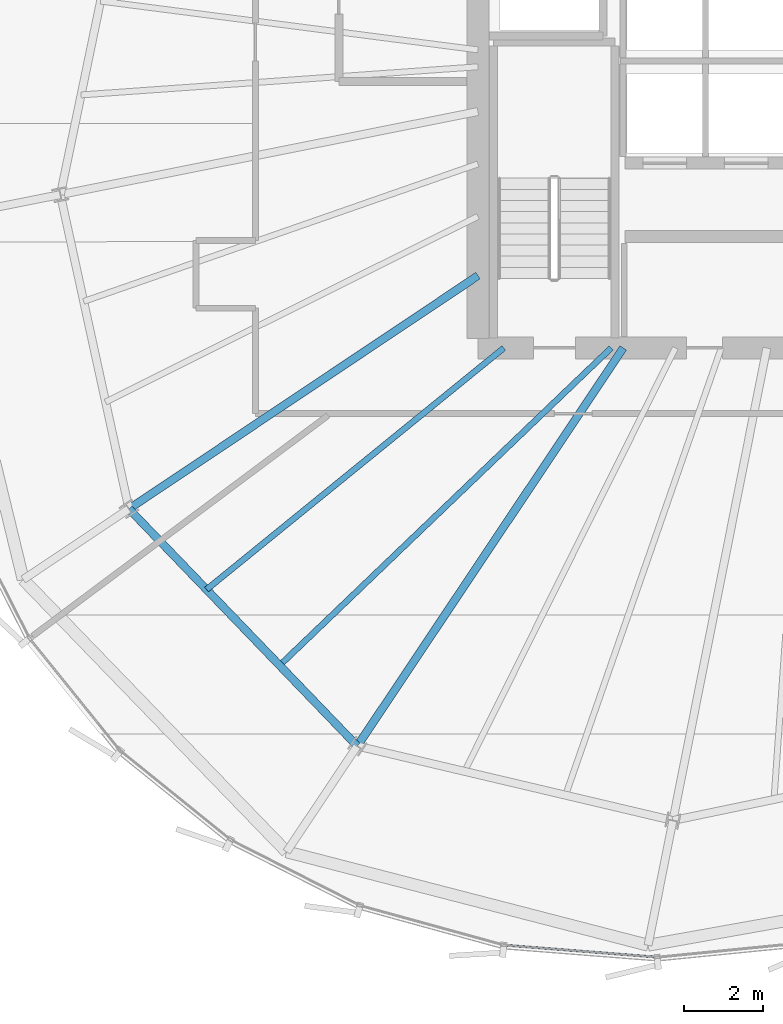
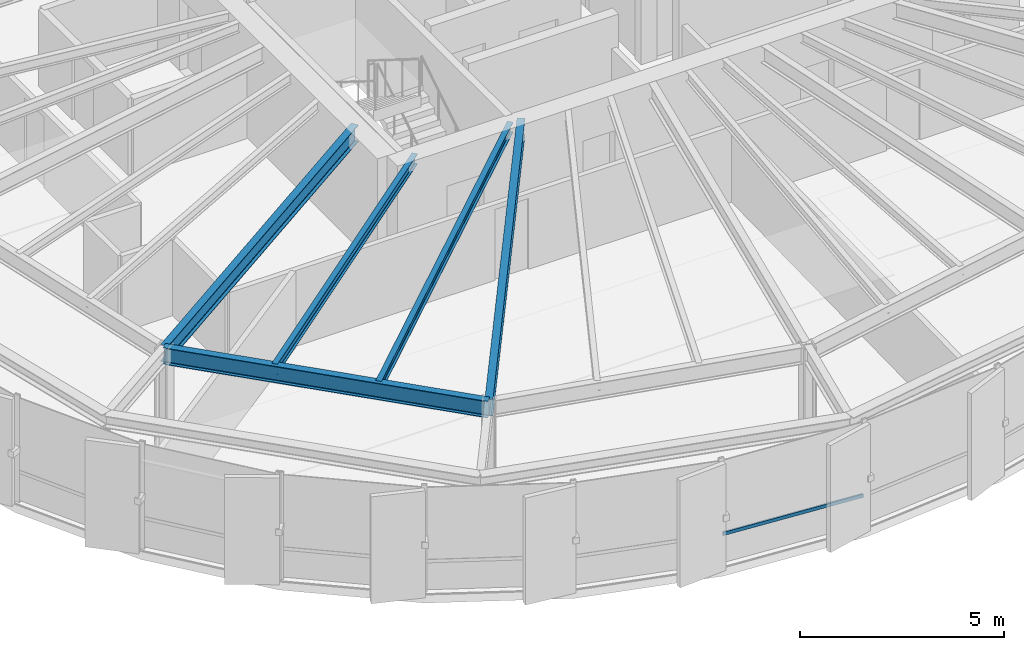
# One storey, part 5 of 34: 5 beams, 1 member, 1 element without a shape of its own.
"""IFC4 building model written with IfcOpenShell, lengths in metres."""

from ifc_helpers import new_model, si_unit, direction, frame, origin, origin_2d, place, context, subcontext, project, spatial, hollow_rectangle, i_section, extrude, source, transform, mapped, material, layer, layer_set, material_profile, profile_set, type_object, element, aggregate, save


model = new_model("IFC4")

# Units and contexts
model_context = context("Model", 3, precision=1e-05, world=origin(), true_north=direction((0.0, 1.0)))
body_context = subcontext(model_context, "Body", "Model", "MODEL_VIEW")
ifc_project = project(units=[si_unit("LENGTHUNIT", "METRE"), si_unit("AREAUNIT", "SQUARE_METRE"), si_unit("VOLUMEUNIT", "CUBIC_METRE"), si_unit("PLANEANGLEUNIT", "RADIAN"), si_unit("MASSUNIT", "GRAM", prefix="KILO"), si_unit("THERMODYNAMICTEMPERATUREUNIT", "KELVIN")], contexts=[model_context])

# Site, building, storey
site_placement = place(None, origin())
site = spatial("IfcSite", under=ifc_project, at=site_placement, CompositionType="ELEMENT")
building_placement = place(site_placement, origin())
building = spatial("IfcBuilding", under=site, at=building_placement, Name="Kethvar Cultural Tower", CompositionType="ELEMENT")
storey_placement = place(building_placement, frame((0.0, 0.0, 214.89990234375)))
storey = spatial("IfcBuildingStorey", under=building, at=storey_placement, Name="L56", CompositionType="ELEMENT", Elevation=214.89990234375)

# Beams
ifc_material_1 = material(Name="Steel S355J2", Category="steel")
ifc_material_profile_1 = material_profile(ifc_material_1, i_section(OverallWidth=0.199951171875, OverallDepth=0.5, WebThickness=0.01025390625, FlangeThickness=0.01611328125, FilletRadius=0.02099609375, at=origin_2d()), Name="Steel S355J2 — IPE500")
ifc_profile_set_1 = profile_set([ifc_material_profile_1], Name="Steel S355J2 — IPE500")
beam_type_1 = type_object("IfcBeamType", Name="BM-IPE500", PredefinedType="BEAM", material=ifc_profile_set_1)
shared_shape_1 = source(origin(), body_context, "Body", "SweptSolid", [
    extrude(i_section(OverallWidth=0.199951171875, OverallDepth=0.5, WebThickness=0.01025390625, FlangeThickness=0.01611328125, FilletRadius=0.02099609375, at=origin_2d()), origin(), (0.0, 0.0, 1.0), 10.562744140625),
])
beam_1_placement = place(storey_placement, frame((38.0, 21.920166015625, 2.988037109375), z_axis=(-0.831463100754, -0.555579978117, 0.0), x_axis=(0.555579978117, -0.831463100754, 0.0)))
element("IfcBeam", 1, at=beam_1_placement, inside=storey, type_object=beam_type_1, Name="L56 Primary Radial Beam RB-10", PredefinedType="BEAM", context=body_context, shape_type="MappedRepresentation", body=[
    mapped(shared_shape_1, transform((0.0, 0.0, 0.0), scale=1.0)),
])
shared_shape_2 = source(origin(), body_context, "Body", "SweptSolid", [
    extrude(i_section(OverallWidth=0.199951171875, OverallDepth=0.5, WebThickness=0.01025390625, FlangeThickness=0.01611328125, FilletRadius=0.02099609375, at=origin_2d()), origin(), (0.0, 0.0, 1.0), 12.0458984375),
])
beam_2_placement = place(storey_placement, frame((41.655029296875, 20.10009765625, 2.988037109375), z_axis=(-0.555569831996, -0.831469880258, 0.0), x_axis=(0.831469880258, -0.555569831996, 0.0)))
element("IfcBeam", 2, at=beam_2_placement, inside=storey, type_object=beam_type_1, Name="L56 Primary Radial Beam RB-11", PredefinedType="BEAM", context=body_context, shape_type="MappedRepresentation", body=[
    mapped(shared_shape_2, transform((0.0, 0.0, 0.0), scale=1.0)),
])
shared_shape_3 = source(origin(), body_context, "Body", "SweptSolid", [
    extrude(i_section(OverallWidth=0.199951171875, OverallDepth=0.5, WebThickness=0.01025390625, FlangeThickness=0.01611328125, FilletRadius=0.02099609375, at=origin_2d()), origin(), (0.0, 0.0, 1.0), 8.28369140625),
])
beam_3_placement = place(storey_placement, frame((29.217529296875, 16.0517578125, 2.988037109375), z_axis=(0.693554459208, -0.72040420051, 0.0), x_axis=(0.72040420051, 0.693554459208, 0.0)))
element("IfcBeam", 3, at=beam_3_placement, inside=storey, type_object=beam_type_1, Name="L56 Column Ring Tie Beam CR-10", PredefinedType="BEAM", context=body_context, shape_type="MappedRepresentation", body=[
    mapped(shared_shape_3, transform((0.0, 0.0, 0.0), scale=1.0)),
])
ifc_material_profile_2 = material_profile(ifc_material_1, i_section(OverallWidth=0.14990234375, OverallDepth=0.300048828125, WebThickness=0.007080078125, FlangeThickness=0.0107421875, FilletRadius=0.014892578125, at=origin_2d()), Name="Steel S355J2 — IPE300")
ifc_profile_set_2 = profile_set([ifc_material_profile_2], Name="Steel S355J2 — IPE300")
beam_type_2 = type_object("IfcBeamType", Name="BM-J300", PredefinedType="JOIST", material=ifc_profile_set_2)
shared_shape_4 = source(origin(), body_context, "Body", "SweptSolid", [
    extrude(i_section(OverallWidth=0.14990234375, OverallDepth=0.300048828125, WebThickness=0.007080078125, FlangeThickness=0.0107421875, FilletRadius=0.014892578125, at=origin_2d()), origin(), (0.0, 0.0, 1.0), 9.63671875),
])
beam_4_placement = place(storey_placement, frame((38.64990234375, 20.10009765625, 3.088134765625), z_axis=(-0.776090751649, -0.630621237515, 0.0), x_axis=(0.630621237515, -0.776090751649, 0.0)))
element("IfcBeam", 4, at=beam_4_placement, inside=storey, type_object=beam_type_2, Name="L56 Composite Floor Joist J-10A", PredefinedType="JOIST", context=body_context, shape_type="MappedRepresentation", body=[
    mapped(shared_shape_4, transform((0.0, 0.0, 0.0), scale=1.0)),
])
shared_shape_5 = source(origin(), body_context, "Body", "SweptSolid", [
    extrude(i_section(OverallWidth=0.14990234375, OverallDepth=0.300048828125, WebThickness=0.007080078125, FlangeThickness=0.0107421875, FilletRadius=0.014892578125, at=origin_2d()), origin(), (0.0, 0.0, 1.0), 11.548095703125),
])
beam_5_placement = place(storey_placement, frame((41.35009765625, 20.10009765625, 3.088134765625), z_axis=(-0.722268013472, -0.691613271067, 0.0), x_axis=(0.691613271067, -0.722268013472, 0.0)))
element("IfcBeam", 5, at=beam_5_placement, inside=storey, type_object=beam_type_2, Name="L56 Composite Floor Joist J-10B", PredefinedType="JOIST", context=body_context, shape_type="MappedRepresentation", body=[
    mapped(shared_shape_5, transform((0.0, 0.0, 0.0), scale=1.0)),
])

# Curtain wall, member
ifc_material_2 = material(Name="Aluminium 6063-T6", Category="aluminium")
ifc_layer = layer(ifc_material_2, 0.179931640625, Name="Aluminium 6063-T6", Category="aluminium")
ifc_layer_set = layer_set([ifc_layer], Name="Aluminium 6063-T6 (180 mm)")
curtain_wall_type = type_object("IfcCurtainWallType", Name="CW-SYS-04-Z34", PredefinedType="NOTDEFINED", material=ifc_layer_set)
curtain_wall_placement = place(storey_placement, origin())
curtain_wall = element("IfcCurtainWall", 6, at=curtain_wall_placement, inside=storey, type_object=curtain_wall_type, Name="L56 Curtain Wall Run 04", PredefinedType="NOTDEFINED")
ifc_material_profile_3 = material_profile(ifc_material_2, hollow_rectangle(XDim=0.050048828125, YDim=0.10009765625, WallThickness=0.00390625, at=origin_2d()), Name="Aluminium 6063-T6 — RHS100x50x4")
ifc_profile_set_3 = profile_set([ifc_material_profile_3], Name="Aluminium 6063-T6 — RHS100x50x4")
member_type = type_object("IfcMemberType", Name="CW-SYS-04-Z34-TRN", PredefinedType="USERDEFINED", material=ifc_profile_set_3)
shared_shape_6 = source(origin(), body_context, "Body", "SweptSolid", [
    extrude(hollow_rectangle(XDim=0.050048828125, YDim=0.10009765625, WallThickness=0.00390625, at=origin_2d()), origin(), (0.0, 0.0, 1.0), 3.809326171875),
])
member_placement = place(storey_placement, frame((38.689208984375, 5.073974609375, 0.9501953125), z_axis=(0.996918361548, -0.078446035007, 0.0), x_axis=(0.078446035007, 0.996918361548, 0.0)))
member = element("IfcMember", 7, at=member_placement, type_object=member_type, Name="CW-L56-R04 Transom 4", ObjectType="TRANSOM", PredefinedType="USERDEFINED", context=body_context, shape_type="MappedRepresentation", body=[
    mapped(shared_shape_6, transform((0.0, 0.0, 0.0), scale=1.0)),
])
aggregate(curtain_wall, [member])

save(model, "model.ifc")
